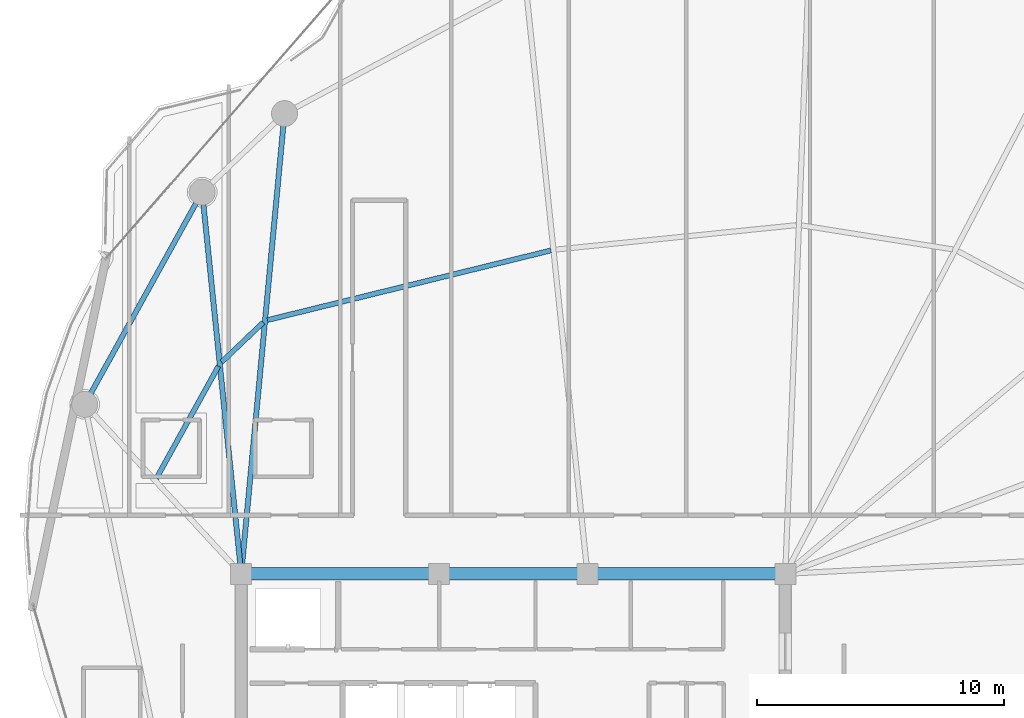
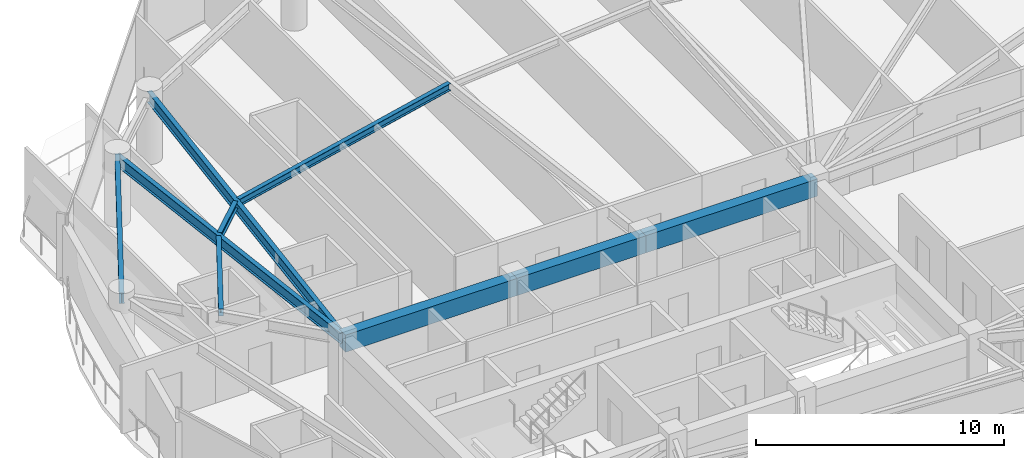
# One storey, part 8 of 29: 9 beams.
"""IFC4 building model written with IfcOpenShell, lengths in metres."""

from ifc_helpers import new_model, si_unit, direction, frame, origin, origin_2d, place, context, subcontext, project, spatial, rectangle, i_section, extrude, material, material_profile, profile_set, type_object, element, save


model = new_model("IFC4")

# Units and contexts
model_context = context("Model", 3, precision=1e-05, world=origin(), true_north=direction((0.0, 1.0)))
body_context = subcontext(model_context, "Body", "Model", "MODEL_VIEW")
ifc_project = project(units=[si_unit("LENGTHUNIT", "METRE"), si_unit("AREAUNIT", "SQUARE_METRE"), si_unit("VOLUMEUNIT", "CUBIC_METRE"), si_unit("PLANEANGLEUNIT", "RADIAN"), si_unit("MASSUNIT", "GRAM", prefix="KILO")], contexts=[model_context])

# Site, building, storey
site_placement = place(None, origin())
site = spatial("IfcSite", under=ifc_project, at=site_placement, CompositionType="ELEMENT")
building_placement = place(site_placement, origin())
building = spatial("IfcBuilding", under=site, at=building_placement, Name="Kazevale Care Tower and Concert Hall", CompositionType="ELEMENT")
storey_placement = place(building_placement, frame((0.0, 0.0, 249.60009765625)))
storey = spatial("IfcBuildingStorey", under=building, at=storey_placement, Name="L66", CompositionType="ELEMENT", Elevation=249.60009765625)

# Beams
ifc_material_1 = material(Name="Concrete C60", Category="concrete")
ifc_material_profile_1 = material_profile(ifc_material_1, rectangle(XDim=0.5, YDim=0.85009765625, at=origin_2d()), Name="RC-B500x850")
ifc_profile_set_1 = profile_set([ifc_material_profile_1], Name="Concrete C60")
beam_type_1 = type_object("IfcBeamType", Name="Core Coupling Beam RC500x850", PredefinedType="LINTEL", material=ifc_profile_set_1)
beam_1_placement = place(storey_placement, frame((44.0, 36.39990234375, 2.85498046875), z_axis=(-1.0, 0.0, 0.0), x_axis=(0.0, -1.0, 0.0)))
element("IfcBeam", 1, at=beam_1_placement, inside=storey, type_object=beam_type_1, Name="beam:L66:coretie:5", PredefinedType="LINTEL", context=body_context, shape_type="SweptSolid", body=[
    extrude(rectangle(XDim=0.5, YDim=0.85009765625, at=origin_2d()), origin(), (0.0, 0.0, 1.0), 8.0),
])
beam_2_placement = place(storey_placement, frame((36.0, 36.39990234375, 2.85498046875), z_axis=(-1.0, 0.0, 0.0), x_axis=(0.0, -1.0, 0.0)))
element("IfcBeam", 2, at=beam_2_placement, inside=storey, type_object=beam_type_1, Name="beam:L66:coretie:6", PredefinedType="LINTEL", context=body_context, shape_type="SweptSolid", body=[
    extrude(rectangle(XDim=0.5, YDim=0.85009765625, at=origin_2d()), origin(), (0.0, 0.0, 1.0), 6.0),
])
beam_3_placement = place(storey_placement, frame((30.0, 36.39990234375, 2.85498046875), z_axis=(-1.0, 0.0, 0.0), x_axis=(0.0, -1.0, 0.0)))
element("IfcBeam", 3, at=beam_3_placement, inside=storey, type_object=beam_type_1, Name="beam:L66:coretie:7", PredefinedType="LINTEL", context=body_context, shape_type="SweptSolid", body=[
    extrude(rectangle(XDim=0.5, YDim=0.85009765625, at=origin_2d()), origin(), (0.0, 0.0, 1.0), 8.0),
])
ifc_material_2 = material(Name="Steel ASTM A572 Gr 50", Category="steel")
ifc_material_profile_2 = material_profile(ifc_material_2, i_section(OverallWidth=0.2119140625, OverallDepth=0.5439453125, WebThickness=0.01318359375, FlangeThickness=0.021240234375, at=origin_2d()), Name="W530x123")
ifc_profile_set_2 = profile_set([ifc_material_profile_2], Name="Steel ASTM A572 Gr 50")
beam_type_2 = type_object("IfcBeamType", Name="Radial Floor Girder W530x123", PredefinedType="BEAM", material=ifc_profile_set_2)
beam_4_placement = place(storey_placement, frame((22.0, 36.39990234375, 3.0078125), z_axis=(0.093621904075, 0.995607823933, 0.0), x_axis=(-0.995607823933, 0.093621904075, 0.0)))
element("IfcBeam", 4, at=beam_4_placement, inside=storey, type_object=beam_type_2, Name="beam:L66:rad:07", PredefinedType="BEAM", context=body_context, shape_type="SweptSolid", body=[
    extrude(i_section(OverallWidth=0.2119140625, OverallDepth=0.5439453125, WebThickness=0.01318359375, FlangeThickness=0.021240234375, at=origin_2d()), origin(), (0.0, 0.0, 1.0), 18.692138671875),
])
beam_5_placement = place(storey_placement, frame((22.0, 36.39990234375, 3.0078125), z_axis=(-0.101869109083, 0.994797810922, 0.0), x_axis=(-0.994797810922, -0.101869109083, 0.0)))
element("IfcBeam", 5, at=beam_5_placement, inside=storey, type_object=beam_type_2, Name="beam:L66:rad:08", PredefinedType="BEAM", context=body_context, shape_type="SweptSolid", body=[
    extrude(i_section(OverallWidth=0.2119140625, OverallDepth=0.5439453125, WebThickness=0.01318359375, FlangeThickness=0.021240234375, at=origin_2d()), origin(), (0.0, 0.0, 1.0), 15.510986328125),
])
ifc_material_profile_3 = material_profile(ifc_material_2, i_section(OverallWidth=0.205078125, OverallDepth=0.35400390625, WebThickness=0.009521484375, FlangeThickness=0.016845703125, at=origin_2d()), Name="W360x79")
ifc_profile_set_3 = profile_set([ifc_material_profile_3], Name="Steel ASTM A572 Gr 50")
beam_type_3 = type_object("IfcBeamType", Name="Secondary Floor Joist W360x79", PredefinedType="JOIST", material=ifc_profile_set_3)
beam_6_placement = place(storey_placement, frame((34.52294921875, 49.47607421875, 3.102783203125), z_axis=(-0.971122715177, -0.238580535809, 0.0), x_axis=(0.238580535809, -0.971122715177, 0.0)))
element("IfcBeam", 6, at=beam_6_placement, inside=storey, type_object=beam_type_3, Name="beam:L66:joist:06", PredefinedType="JOIST", context=body_context, shape_type="SweptSolid", body=[
    extrude(i_section(OverallWidth=0.205078125, OverallDepth=0.35400390625, WebThickness=0.009521484375, FlangeThickness=0.016845703125, at=origin_2d()), origin(), (0.0, 0.0, 1.0), 11.7998046875),
])
beam_7_placement = place(storey_placement, frame((22.886962890625, 46.56298828125, 3.102783203125), z_axis=(-0.723262472539, -0.690573237114, 0.0), x_axis=(0.690573237114, -0.723262472539, 0.0)))
element("IfcBeam", 7, at=beam_7_placement, inside=storey, type_object=beam_type_3, Name="beam:L66:joist:07", PredefinedType="JOIST", context=body_context, shape_type="SweptSolid", body=[
    extrude(i_section(OverallWidth=0.205078125, OverallDepth=0.35400390625, WebThickness=0.009521484375, FlangeThickness=0.016845703125, at=origin_2d()), origin(), (0.0, 0.0, 1.0), 2.32275390625),
])
beam_8_placement = place(storey_placement, frame((21.080078125, 44.794921875, 3.102783203125), z_axis=(-0.484322963201, -0.874889288605, 0.0), x_axis=(0.874889288605, -0.484322963201, 0.0)))
element("IfcBeam", 8, at=beam_8_placement, inside=storey, type_object=beam_type_3, Name="beam:L66:joist:08", PredefinedType="JOIST", context=body_context, shape_type="SweptSolid", body=[
    extrude(i_section(OverallWidth=0.205078125, OverallDepth=0.35400390625, WebThickness=0.009521484375, FlangeThickness=0.016845703125, at=origin_2d()), origin(), (0.0, 0.0, 1.0), 5.1845703125),
])
ifc_material_profile_4 = material_profile(ifc_material_2, i_section(OverallWidth=0.208984375, OverallDepth=0.532958984375, WebThickness=0.01025390625, FlangeThickness=0.015625, at=origin_2d()), Name="W530x92")
ifc_profile_set_4 = profile_set([ifc_material_profile_4], Name="Steel ASTM A572 Gr 50")
beam_type_4 = type_object("IfcBeamType", Name="Upper Ring Beam W530x92", PredefinedType="BEAM", material=ifc_profile_set_4)
beam_9_placement = place(storey_placement, frame((20.419921875, 51.830078125, 3.013427734375), z_axis=(-0.484340382014, -0.874879645637, 0.0), x_axis=(0.874879645637, -0.484340382014, 0.0)))
element("IfcBeam", 9, at=beam_9_placement, inside=storey, type_object=beam_type_4, Name="beam:L66:ring:08", PredefinedType="BEAM", context=body_context, shape_type="SweptSolid", body=[
    extrude(i_section(OverallWidth=0.208984375, OverallDepth=0.532958984375, WebThickness=0.01025390625, FlangeThickness=0.015625, at=origin_2d()), origin(), (0.0, 0.0, 1.0), 9.80712890625),
])

save(model, "model.ifc")
